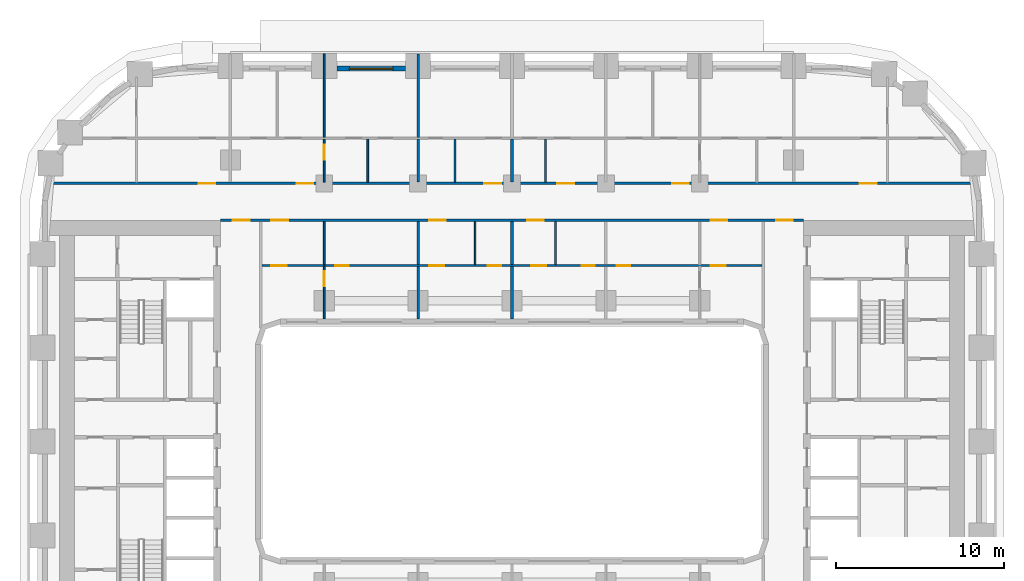
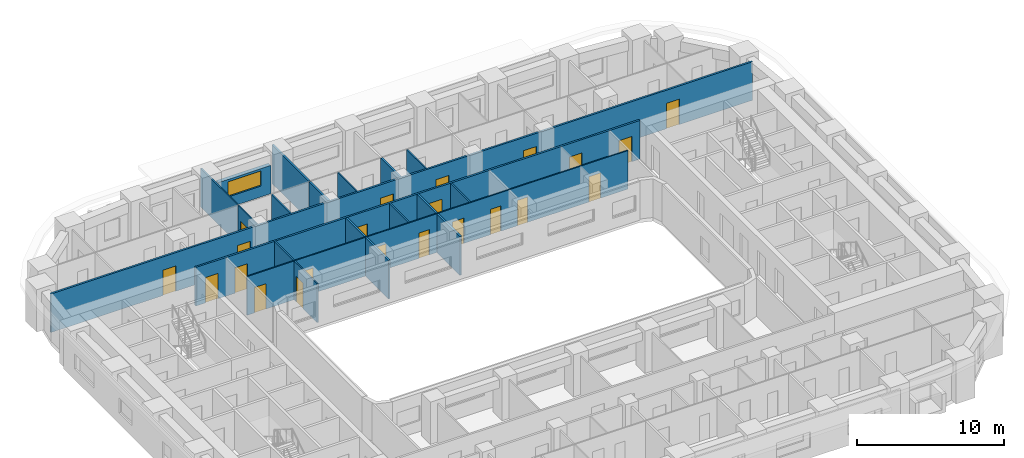
# One storey, part 8 of 22: 22 doors, 20 walls, 1 window, 23 openings.
"""IFC4 building model written with IfcOpenShell, lengths in metres."""

from ifc_helpers import new_model, si_unit, direction, frame, frame_2d, origin, place, context, subcontext, project, spatial, rectangle, extrude, material, layer, layer_set, type_object, element, fill, save


model = new_model("IFC4")

# Units and contexts
model_context = context("Model", 3, precision=1e-05, world=origin(), true_north=direction((0.0, 1.0)))
body_context = subcontext(model_context, "Body", "Model", "MODEL_VIEW")
ifc_project = project(units=[si_unit("LENGTHUNIT", "METRE"), si_unit("AREAUNIT", "SQUARE_METRE"), si_unit("VOLUMEUNIT", "CUBIC_METRE"), si_unit("PLANEANGLEUNIT", "RADIAN"), si_unit("MASSUNIT", "GRAM", prefix="KILO")], contexts=[model_context])

# Site, building, storey
site_placement = place(None, origin())
site = spatial("IfcSite", under=ifc_project, at=site_placement, CompositionType="ELEMENT")
building_placement = place(site_placement, origin())
building = spatial("IfcBuilding", under=site, at=building_placement, Name="Kiln Ring Residences", CompositionType="ELEMENT")
storey_placement = place(building_placement, frame((0.0, 0.0, 44.5)))
storey = spatial("IfcBuildingStorey", under=building, at=storey_placement, Name="L10", CompositionType="ELEMENT", Elevation=44.5)

# Wall, opening, window
ifc_material_1 = material(Name="Brick masonry, dark clay brick", Category="masonry")
ifc_layer_1 = layer(ifc_material_1, 0.300048828125)
ifc_layer_set_1 = layer_set([ifc_layer_1], Name="EW-300 BRICK WALL")
wall_type_1 = type_object("IfcWallType", Name="EW-300 BRICK WALL", PredefinedType="SOLIDWALL", material=ifc_layer_set_1)
wall_1_placement = place(storey_placement, frame((-6.35009765625, 22.25, 0.0), z_axis=(0.0, 0.0, 1.0), x_axis=(-1.0, 0.0, 0.0)))
wall_1 = element("IfcWall", 1, at=wall_1_placement, inside=storey, type_object=wall_type_1, Name="Facade wall L10 33", PredefinedType="SOLIDWALL", context=body_context, shape_type="SweptSolid", body=[
    extrude(rectangle(XDim=4.099853515625, YDim=0.300048828125, at=frame_2d((2.0498046875, 0.0))), origin(), (0.0, 0.0, 1.0), 2.35009765625),
])
opening_1_placement = place(wall_1_placement, frame((0.75, 0.0, 0.89990234375)))
opening_1 = element("IfcOpeningElement", 2, at=opening_1_placement, cuts=wall_1, Name="Opening W3", PredefinedType="OPENING", context=body_context, shape_type="SweptSolid", body=[
    extrude(rectangle(XDim=2.60009765625, YDim=1.25, at=frame_2d((1.300048828125, 0.625))), frame((0.0, 0.159912109375, 0.0), z_axis=(0.0, -1.0, 0.0), x_axis=(1.0, 0.0, 0.0)), (0.0, 0.0, 1.0), 0.320068359375),
])
ifc_material_2 = material(Name="Aluminium frame with double glazing", Category="aluminium")
window_type = type_object("IfcWindowType", Name="WINDOW 2600 x 1250", PartitioningType="SINGLE_PANEL", PredefinedType="WINDOW", material=ifc_material_2)
window_placement = place(opening_1_placement, origin())
window = element("IfcWindow", 3, at=window_placement, inside=storey, type_object=window_type, Name="Window L10 19", OverallHeight=1.25, OverallWidth=2.60009765625, PartitioningType="SINGLE_PANEL", PredefinedType="WINDOW", context=body_context, shape_type="SweptSolid", body=[
    extrude(rectangle(XDim=2.60009765625, YDim=1.25, at=frame_2d((1.300048828125, 0.625))), frame((0.0, 0.030029296875, 0.0), z_axis=(0.0, -1.0, 0.0), x_axis=(1.0, 0.0, 0.0)), (0.0, 0.0, 1.0), 0.06005859375),
])
fill(opening_1, window)

# Wall, openings, doors
ifc_material_3 = material(Name="Gypsum board on steel studs", Category="steel")
ifc_layer_2 = layer(ifc_material_3, 0.10009765625)
ifc_layer_set_2 = layer_set([ifc_layer_2], Name="PARTITION-100")
wall_type_2 = type_object("IfcWallType", Name="PARTITION-100", PredefinedType="PARTITIONING", material=ifc_layer_set_2)
wall_2_placement = place(storey_placement, frame((-14.925048828125, 10.5, 0.0), z_axis=(0.0, 0.0, 1.0), x_axis=(1.0, 0.0, 0.0)))
wall_2 = element("IfcWall", 4, at=wall_2_placement, inside=storey, type_object=wall_type_2, Name="Partition 003", PredefinedType="PARTITIONING", context=body_context, shape_type="SweptSolid", body=[
    extrude(rectangle(XDim=29.85009765625, YDim=0.10009765625, at=frame_2d((14.925048828125, 0.0))), origin(), (0.0, 0.0, 1.0), 3.199951171875),
])
opening_2_placement = place(wall_2_placement, frame((4.375, 0.0, 0.0)))
opening_2 = element("IfcOpeningElement", 5, at=opening_2_placement, cuts=wall_2, Name="Opening L10-D006", PredefinedType="OPENING", context=body_context, shape_type="SweptSolid", body=[
    extrude(rectangle(XDim=0.800048828125, YDim=2.10009765625, at=frame_2d((0.39990234375, 1.050048828125))), frame((0.0, 0.06005859375, 0.0), z_axis=(0.0, -1.0, 0.0), x_axis=(1.0, 0.0, 0.0)), (0.0, 0.0, 1.0), 0.1201171875),
])
opening_3_placement = place(wall_2_placement, frame((0.574951171875, 0.0, 0.0)))
opening_3 = element("IfcOpeningElement", 6, at=opening_3_placement, cuts=wall_2, Name="Opening L10-D007", PredefinedType="OPENING", context=body_context, shape_type="SweptSolid", body=[
    extrude(rectangle(XDim=0.89990234375, YDim=2.10009765625, at=frame_2d((0.449951171875, 1.050048828125))), frame((0.0, 0.06005859375, 0.0), z_axis=(0.0, -1.0, 0.0), x_axis=(1.0, 0.0, 0.0)), (0.0, 0.0, 1.0), 0.1201171875),
])
opening_4_placement = place(wall_2_placement, frame((13.47509765625, 0.0, 0.0)))
opening_4 = element("IfcOpeningElement", 7, at=opening_4_placement, cuts=wall_2, Name="Opening L10-D010", PredefinedType="OPENING", context=body_context, shape_type="SweptSolid", body=[
    extrude(rectangle(XDim=0.800048828125, YDim=2.10009765625, at=frame_2d((0.39990234375, 1.050048828125))), frame((0.0, 0.06005859375, 0.0), z_axis=(0.0, -1.0, 0.0), x_axis=(1.0, 0.0, 0.0)), (0.0, 0.0, 1.0), 0.1201171875),
])
opening_5_placement = place(wall_2_placement, frame((9.97509765625, 0.0, 0.0)))
opening_5 = element("IfcOpeningElement", 8, at=opening_5_placement, cuts=wall_2, Name="Opening L10-D011", PredefinedType="OPENING", context=body_context, shape_type="SweptSolid", body=[
    extrude(rectangle(XDim=0.89990234375, YDim=2.10009765625, at=frame_2d((0.449951171875, 1.050048828125))), frame((0.0, 0.06005859375, 0.0), z_axis=(0.0, -1.0, 0.0), x_axis=(1.0, 0.0, 0.0)), (0.0, 0.0, 1.0), 0.1201171875),
])
opening_6_placement = place(wall_2_placement, frame((19.074951171875, 0.0, 0.0)))
opening_6 = element("IfcOpeningElement", 9, at=opening_6_placement, cuts=wall_2, Name="Opening L10-D013", PredefinedType="OPENING", context=body_context, shape_type="SweptSolid", body=[
    extrude(rectangle(XDim=0.800048828125, YDim=2.10009765625, at=frame_2d((0.39990234375, 1.050048828125))), frame((0.0, 0.06005859375, 0.0), z_axis=(0.0, -1.0, 0.0), x_axis=(1.0, 0.0, 0.0)), (0.0, 0.0, 1.0), 0.1201171875),
])
opening_7_placement = place(wall_2_placement, frame((16.074951171875, 0.0, 0.0)))
opening_7 = element("IfcOpeningElement", 10, at=opening_7_placement, cuts=wall_2, Name="Opening L10-D014", PredefinedType="OPENING", context=body_context, shape_type="SweptSolid", body=[
    extrude(rectangle(XDim=0.89990234375, YDim=2.10009765625, at=frame_2d((0.449951171875, 1.050048828125))), frame((0.0, 0.06005859375, 0.0), z_axis=(0.0, -1.0, 0.0), x_axis=(1.0, 0.0, 0.0)), (0.0, 0.0, 1.0), 0.1201171875),
])
opening_8_placement = place(wall_2_placement, frame((21.175048828125, 0.0, 0.0)))
opening_8 = element("IfcOpeningElement", 11, at=opening_8_placement, cuts=wall_2, Name="Opening L10-D016", PredefinedType="OPENING", context=body_context, shape_type="SweptSolid", body=[
    extrude(rectangle(XDim=0.800048828125, YDim=2.10009765625, at=frame_2d((0.39990234375, 1.050048828125))), frame((0.0, 0.06005859375, 0.0), z_axis=(0.0, -1.0, 0.0), x_axis=(1.0, 0.0, 0.0)), (0.0, 0.0, 1.0), 0.1201171875),
])
opening_9_placement = place(wall_2_placement, frame((26.77490234375, 0.0, 0.0)))
opening_9 = element("IfcOpeningElement", 12, at=opening_9_placement, cuts=wall_2, Name="Opening L10-D017", PredefinedType="OPENING", context=body_context, shape_type="SweptSolid", body=[
    extrude(rectangle(XDim=0.89990234375, YDim=2.10009765625, at=frame_2d((0.449951171875, 1.050048828125))), frame((0.0, 0.06005859375, 0.0), z_axis=(0.0, -1.0, 0.0), x_axis=(1.0, 0.0, 0.0)), (0.0, 0.0, 1.0), 0.1201171875),
])
ifc_material_4 = material(Name="Timber door leaf", Category="wood")
door_type_1 = type_object("IfcDoorType", Name="FLAT-DOOR-800-PL", OperationType="SINGLE_SWING_LEFT", PredefinedType="DOOR", material=ifc_material_4)
door_1_placement = place(opening_2_placement, origin())
door_1 = element("IfcDoor", 13, at=door_1_placement, inside=storey, type_object=door_type_1, Name="Door L10-D006", OperationType="SINGLE_SWING_RIGHT", OverallHeight=2.10009765625, OverallWidth=0.800048828125, PredefinedType="DOOR", context=body_context, shape_type="SweptSolid", body=[
    extrude(rectangle(XDim=0.800048828125, YDim=2.10009765625, at=frame_2d((0.39990234375, 1.050048828125))), frame((0.0, 0.02490234375, 0.0), z_axis=(0.0, -1.0, 0.0), x_axis=(1.0, 0.0, 0.0)), (0.0, 0.0, 1.0), 0.050048828125),
])
fill(opening_2, door_1)
door_2_placement = place(opening_4_placement, origin())
door_2 = element("IfcDoor", 14, at=door_2_placement, inside=storey, type_object=door_type_1, Name="Door L10-D010", OperationType="SINGLE_SWING_RIGHT", OverallHeight=2.10009765625, OverallWidth=0.800048828125, PredefinedType="DOOR", context=body_context, shape_type="SweptSolid", body=[
    extrude(rectangle(XDim=0.800048828125, YDim=2.10009765625, at=frame_2d((0.39990234375, 1.050048828125))), frame((0.0, 0.02490234375, 0.0), z_axis=(0.0, -1.0, 0.0), x_axis=(1.0, 0.0, 0.0)), (0.0, 0.0, 1.0), 0.050048828125),
])
fill(opening_4, door_2)
door_3_placement = place(opening_6_placement, origin())
door_3 = element("IfcDoor", 15, at=door_3_placement, inside=storey, type_object=door_type_1, Name="Door L10-D013", OperationType="SINGLE_SWING_LEFT", OverallHeight=2.10009765625, OverallWidth=0.800048828125, PredefinedType="DOOR", context=body_context, shape_type="SweptSolid", body=[
    extrude(rectangle(XDim=0.800048828125, YDim=2.10009765625, at=frame_2d((0.39990234375, 1.050048828125))), frame((0.0, 0.02490234375, 0.0), z_axis=(0.0, -1.0, 0.0), x_axis=(1.0, 0.0, 0.0)), (0.0, 0.0, 1.0), 0.050048828125),
])
fill(opening_6, door_3)
door_4_placement = place(opening_8_placement, origin())
door_4 = element("IfcDoor", 16, at=door_4_placement, inside=storey, type_object=door_type_1, Name="Door L10-D016", OperationType="SINGLE_SWING_RIGHT", OverallHeight=2.10009765625, OverallWidth=0.800048828125, PredefinedType="DOOR", context=body_context, shape_type="SweptSolid", body=[
    extrude(rectangle(XDim=0.800048828125, YDim=2.10009765625, at=frame_2d((0.39990234375, 1.050048828125))), frame((0.0, 0.02490234375, 0.0), z_axis=(0.0, -1.0, 0.0), x_axis=(1.0, 0.0, 0.0)), (0.0, 0.0, 1.0), 0.050048828125),
])
fill(opening_8, door_4)
ifc_material_5 = material(Name="Timber door leaf", Category="wood")
door_type_2 = type_object("IfcDoorType", Name="FLAT-DOOR-900-PL", OperationType="SINGLE_SWING_LEFT", PredefinedType="DOOR", material=ifc_material_5)
door_5_placement = place(opening_3_placement, origin())
door_5 = element("IfcDoor", 17, at=door_5_placement, inside=storey, type_object=door_type_2, Name="Door L10-D007", OperationType="SINGLE_SWING_LEFT", OverallHeight=2.10009765625, OverallWidth=0.89990234375, PredefinedType="DOOR", context=body_context, shape_type="SweptSolid", body=[
    extrude(rectangle(XDim=0.89990234375, YDim=2.10009765625, at=frame_2d((0.449951171875, 1.050048828125))), frame((0.0, 0.02490234375, 0.0), z_axis=(0.0, -1.0, 0.0), x_axis=(1.0, 0.0, 0.0)), (0.0, 0.0, 1.0), 0.050048828125),
])
fill(opening_3, door_5)
door_6_placement = place(opening_5_placement, origin())
door_6 = element("IfcDoor", 18, at=door_6_placement, inside=storey, type_object=door_type_2, Name="Door L10-D011", OperationType="SINGLE_SWING_LEFT", OverallHeight=2.10009765625, OverallWidth=0.89990234375, PredefinedType="DOOR", context=body_context, shape_type="SweptSolid", body=[
    extrude(rectangle(XDim=0.89990234375, YDim=2.10009765625, at=frame_2d((0.449951171875, 1.050048828125))), frame((0.0, 0.02490234375, 0.0), z_axis=(0.0, -1.0, 0.0), x_axis=(1.0, 0.0, 0.0)), (0.0, 0.0, 1.0), 0.050048828125),
])
fill(opening_5, door_6)
door_7_placement = place(opening_7_placement, origin())
door_7 = element("IfcDoor", 19, at=door_7_placement, inside=storey, type_object=door_type_2, Name="Door L10-D014", OperationType="SINGLE_SWING_RIGHT", OverallHeight=2.10009765625, OverallWidth=0.89990234375, PredefinedType="DOOR", context=body_context, shape_type="SweptSolid", body=[
    extrude(rectangle(XDim=0.89990234375, YDim=2.10009765625, at=frame_2d((0.449951171875, 1.050048828125))), frame((0.0, 0.02490234375, 0.0), z_axis=(0.0, -1.0, 0.0), x_axis=(1.0, 0.0, 0.0)), (0.0, 0.0, 1.0), 0.050048828125),
])
fill(opening_7, door_7)
door_8_placement = place(opening_9_placement, origin())
door_8 = element("IfcDoor", 20, at=door_8_placement, inside=storey, type_object=door_type_2, Name="Door L10-D017", OperationType="SINGLE_SWING_LEFT", OverallHeight=2.10009765625, OverallWidth=0.89990234375, PredefinedType="DOOR", context=body_context, shape_type="SweptSolid", body=[
    extrude(rectangle(XDim=0.89990234375, YDim=2.10009765625, at=frame_2d((0.449951171875, 1.050048828125))), frame((0.0, 0.02490234375, 0.0), z_axis=(0.0, -1.0, 0.0), x_axis=(1.0, 0.0, 0.0)), (0.0, 0.0, 1.0), 0.050048828125),
])
fill(opening_9, door_8)

# Wall, opening, door
wall_3_placement = place(storey_placement, frame((-11.199951171875, 7.320068359375, 0.0), z_axis=(0.0, 0.0, 1.0), x_axis=(0.0, 1.0, 0.0)))
wall_3 = element("IfcWall", 21, at=wall_3_placement, inside=storey, type_object=wall_type_2, Name="Partition 020", PredefinedType="PARTITIONING", context=body_context, shape_type="SweptSolid", body=[
    extrude(rectangle(XDim=3.1298828125, YDim=0.10009765625, at=frame_2d((1.56494140625, 0.0))), origin(), (0.0, 0.0, 1.0), 3.199951171875),
])
opening_10_placement = place(wall_3_placement, frame((1.949951171875, 0.0, 0.0)))
opening_10 = element("IfcOpeningElement", 22, at=opening_10_placement, cuts=wall_3, Name="Opening L10-D008", PredefinedType="OPENING", context=body_context, shape_type="SweptSolid", body=[
    extrude(rectangle(XDim=0.89990234375, YDim=2.10009765625, at=frame_2d((0.449951171875, 1.050048828125))), frame((0.0, 0.06005859375, 0.0), z_axis=(0.0, -1.0, 0.0), x_axis=(1.0, 0.0, 0.0)), (0.0, 0.0, 1.0), 0.1201171875),
])
door_9_placement = place(opening_10_placement, origin())
door_9 = element("IfcDoor", 23, at=door_9_placement, inside=storey, type_object=door_type_2, Name="Door L10-D008", OperationType="SINGLE_SWING_RIGHT", OverallHeight=2.10009765625, OverallWidth=0.89990234375, PredefinedType="DOOR", context=body_context, shape_type="SweptSolid", body=[
    extrude(rectangle(XDim=0.89990234375, YDim=2.10009765625, at=frame_2d((0.449951171875, 1.050048828125))), frame((0.0, 0.02490234375, 0.0), z_axis=(0.0, -1.0, 0.0), x_axis=(1.0, 0.0, 0.0)), (0.0, 0.0, 1.0), 0.050048828125),
])
fill(opening_10, door_9)

# Wall
wall_4_placement = place(storey_placement, frame((-11.199951171875, 10.550048828125, 0.0), z_axis=(0.0, 0.0, 1.0), x_axis=(0.0, 1.0, 0.0)))
element("IfcWall", 24, at=wall_4_placement, inside=storey, type_object=wall_type_2, Name="Partition 021", PredefinedType="PARTITIONING", context=body_context, shape_type="SweptSolid", body=[
    extrude(rectangle(XDim=2.574951171875, YDim=0.10009765625, at=frame_2d((1.28759765625, 0.0))), origin(), (0.0, 0.0, 1.0), 3.199951171875),
])

# Wall, opening, door
wall_5_placement = place(storey_placement, frame((-11.199951171875, 15.47509765625, 0.0), z_axis=(0.0, 0.0, 1.0), x_axis=(0.0, 1.0, 0.0)))
wall_5 = element("IfcWall", 25, at=wall_5_placement, inside=storey, type_object=wall_type_2, Name="Partition 022", PredefinedType="PARTITIONING", context=body_context, shape_type="SweptSolid", body=[
    extrude(rectangle(XDim=2.574951171875, YDim=0.10009765625, at=frame_2d((1.28759765625, 0.0))), origin(), (0.0, 0.0, 1.0), 3.199951171875),
])
opening_11_placement = place(wall_5_placement, frame((1.325927734375, 0.0, 0.0)))
opening_11 = element("IfcOpeningElement", 26, at=opening_11_placement, cuts=wall_5, Name="Opening L10-D024", PredefinedType="OPENING", context=body_context, shape_type="SweptSolid", body=[
    extrude(rectangle(XDim=0.89990234375, YDim=2.10009765625, at=frame_2d((0.449951171875, 1.050048828125))), frame((0.0, 0.06005859375, 0.0), z_axis=(0.0, -1.0, 0.0), x_axis=(1.0, 0.0, 0.0)), (0.0, 0.0, 1.0), 0.1201171875),
])
door_10_placement = place(opening_11_placement, origin())
door_10 = element("IfcDoor", 27, at=door_10_placement, inside=storey, type_object=door_type_2, Name="Door L10-D024", OperationType="SINGLE_SWING_RIGHT", OverallHeight=2.10009765625, OverallWidth=0.89990234375, PredefinedType="DOOR", context=body_context, shape_type="SweptSolid", body=[
    extrude(rectangle(XDim=0.89990234375, YDim=2.10009765625, at=frame_2d((0.449951171875, 1.050048828125))), frame((0.0, 0.02490234375, 0.0), z_axis=(0.0, -1.0, 0.0), x_axis=(1.0, 0.0, 0.0)), (0.0, 0.0, 1.0), 0.050048828125),
])
fill(opening_11, door_10)

# Walls
wall_6_placement = place(storey_placement, frame((-11.199951171875, 18.14990234375, 0.0), z_axis=(0.0, 0.0, 1.0), x_axis=(0.0, 1.0, 0.0)))
element("IfcWall", 28, at=wall_6_placement, inside=storey, type_object=wall_type_2, Name="Partition 023", PredefinedType="PARTITIONING", context=body_context, shape_type="SweptSolid", body=[
    extrude(rectangle(XDim=4.97998046875, YDim=0.10009765625, at=frame_2d((2.489990234375, 0.0))), origin(), (0.0, 0.0, 1.0), 3.199951171875),
])
for number, where, z_axis, x_axis, name in (
    (29, (-8.60009765625, 15.47509765625, 0.0), (0.0, 0.0, 1.0), (0.0, 1.0, 0.0), "Partition 026"),
    (30, (-3.39990234375, 15.47509765625, 0.0), (0.0, 0.0, 1.0), (0.0, 1.0, 0.0), "Partition 035"),
    (31, (-2.199951171875, 10.550048828125, 0.0), (0.0, 0.0, 1.0), (0.0, 1.0, 0.0), "Partition 037"),
    (32, (2.0, 15.47509765625, 0.0), (0.0, 0.0, 1.0), (0.0, 1.0, 0.0), "Partition 045"),
    (33, (2.60009765625, 10.550048828125, 0.0), (0.0, 0.0, 1.0), (0.0, 1.0, 0.0), "Partition 046"),
):
    element("IfcWall", number, at=place(storey_placement, frame(where, z_axis=z_axis, x_axis=x_axis)), inside=storey, type_object=wall_type_2, Name=name, PredefinedType="PARTITIONING", context=body_context, shape_type="SweptSolid", body=[
        extrude(rectangle(XDim=2.574951171875, YDim=0.10009765625, at=frame_2d((1.28759765625, 0.0))), origin(), (0.0, 0.0, 1.0), 3.199951171875),
    ])

# Wall, openings, doors
ifc_material_6 = material(Name="Brick masonry partition", Category="masonry")
ifc_layer_3 = layer(ifc_material_6, 0.14990234375)
ifc_layer_set_3 = layer_set([ifc_layer_3], Name="PARTITION-150-ei60")
wall_type_3 = type_object("IfcWallType", Name="PARTITION-150-ei60", PredefinedType="PARTITIONING", material=ifc_layer_set_3)
wall_7_placement = place(storey_placement, frame((-17.39990234375, 13.199951171875, 0.0), z_axis=(0.0, 0.0, 1.0), x_axis=(1.0, 0.0, 0.0)))
wall_7 = element("IfcWall", 34, at=wall_7_placement, inside=storey, type_object=wall_type_3, Name="Partition 004", PredefinedType="PARTITIONING", context=body_context, shape_type="SweptSolid", body=[
    extrude(rectangle(XDim=34.7998046875, YDim=0.14990234375, at=frame_2d((17.39990234375, 0.0))), origin(), (0.0, 0.0, 1.0), 3.199951171875),
])
opening_12_placement = place(wall_7_placement, frame((0.75, 0.0, 0.0)))
opening_12 = element("IfcOpeningElement", 35, at=opening_12_placement, cuts=wall_7, Name="Opening L10-D001", PredefinedType="OPENING", context=body_context, shape_type="SweptSolid", body=[
    extrude(rectangle(XDim=1.0, YDim=2.10009765625, at=frame_2d((0.5, 1.050048828125))), frame((0.0, 0.0849609375, 0.0), z_axis=(0.0, -1.0, 0.0), x_axis=(1.0, 0.0, 0.0)), (0.0, 0.0, 1.0), 0.169921875),
])
opening_13_placement = place(wall_7_placement, frame((33.14990234375, 0.0, 0.0)))
opening_13 = element("IfcOpeningElement", 36, at=opening_13_placement, cuts=wall_7, Name="Opening L10-D002", PredefinedType="OPENING", context=body_context, shape_type="SweptSolid", body=[
    extrude(rectangle(XDim=1.0, YDim=2.10009765625, at=frame_2d((0.5, 1.050048828125))), frame((0.0, 0.0849609375, 0.0), z_axis=(0.0, -1.0, 0.0), x_axis=(1.0, 0.0, 0.0)), (0.0, 0.0, 1.0), 0.169921875),
])
opening_14_placement = place(wall_7_placement, frame((3.050048828125, 0.0, 0.0)))
opening_14 = element("IfcOpeningElement", 37, at=opening_14_placement, cuts=wall_7, Name="Opening L10-D005", PredefinedType="OPENING", context=body_context, shape_type="SweptSolid", body=[
    extrude(rectangle(XDim=1.0, YDim=2.10009765625, at=frame_2d((0.5, 1.050048828125))), frame((0.0, 0.0849609375, 0.0), z_axis=(0.0, -1.0, 0.0), x_axis=(1.0, 0.0, 0.0)), (0.0, 0.0, 1.0), 0.169921875),
])
opening_15_placement = place(wall_7_placement, frame((12.449951171875, 0.0, 0.0)))
opening_15 = element("IfcOpeningElement", 38, at=opening_15_placement, cuts=wall_7, Name="Opening L10-D009", PredefinedType="OPENING", context=body_context, shape_type="SweptSolid", body=[
    extrude(rectangle(XDim=1.0, YDim=2.10009765625, at=frame_2d((0.5, 1.050048828125))), frame((0.0, 0.0849609375, 0.0), z_axis=(0.0, -1.0, 0.0), x_axis=(1.0, 0.0, 0.0)), (0.0, 0.0, 1.0), 0.169921875),
])
opening_16_placement = place(wall_7_placement, frame((18.300048828125, 0.0, 0.0)))
opening_16 = element("IfcOpeningElement", 39, at=opening_16_placement, cuts=wall_7, Name="Opening L10-D012", PredefinedType="OPENING", context=body_context, shape_type="SweptSolid", body=[
    extrude(rectangle(XDim=1.0, YDim=2.10009765625, at=frame_2d((0.5, 1.050048828125))), frame((0.0, 0.0849609375, 0.0), z_axis=(0.0, -1.0, 0.0), x_axis=(1.0, 0.0, 0.0)), (0.0, 0.0, 1.0), 0.169921875),
])
opening_17_placement = place(wall_7_placement, frame((29.25, 0.0, 0.0)))
opening_17 = element("IfcOpeningElement", 40, at=opening_17_placement, cuts=wall_7, Name="Opening L10-D015", PredefinedType="OPENING", context=body_context, shape_type="SweptSolid", body=[
    extrude(rectangle(XDim=1.0, YDim=2.10009765625, at=frame_2d((0.5, 1.050048828125))), frame((0.0, 0.0849609375, 0.0), z_axis=(0.0, -1.0, 0.0), x_axis=(1.0, 0.0, 0.0)), (0.0, 0.0, 1.0), 0.169921875),
])
ifc_material_7 = material(Name="Steel faced fire door leaf", Category="steel")
door_type_3 = type_object("IfcDoorType", Name="FLAT-DOOR-1000-FR", OperationType="SINGLE_SWING_LEFT", PredefinedType="DOOR", material=ifc_material_7)
door_11_placement = place(opening_12_placement, origin())
door_11 = element("IfcDoor", 41, at=door_11_placement, inside=storey, type_object=door_type_3, Name="Door L10-D001", OperationType="SINGLE_SWING_RIGHT", OverallHeight=2.10009765625, OverallWidth=1.0, PredefinedType="DOOR", context=body_context, shape_type="SweptSolid", body=[
    extrude(rectangle(XDim=1.0, YDim=2.10009765625, at=frame_2d((0.5, 1.050048828125))), frame((0.0, 0.02490234375, 0.0), z_axis=(0.0, -1.0, 0.0), x_axis=(1.0, 0.0, 0.0)), (0.0, 0.0, 1.0), 0.050048828125),
])
fill(opening_12, door_11)
door_12_placement = place(opening_13_placement, origin())
door_12 = element("IfcDoor", 42, at=door_12_placement, inside=storey, type_object=door_type_3, Name="Door L10-D002", OperationType="SINGLE_SWING_LEFT", OverallHeight=2.10009765625, OverallWidth=1.0, PredefinedType="DOOR", context=body_context, shape_type="SweptSolid", body=[
    extrude(rectangle(XDim=1.0, YDim=2.10009765625, at=frame_2d((0.5, 1.050048828125))), frame((0.0, 0.02490234375, 0.0), z_axis=(0.0, -1.0, 0.0), x_axis=(1.0, 0.0, 0.0)), (0.0, 0.0, 1.0), 0.050048828125),
])
fill(opening_13, door_12)
door_13_placement = place(opening_14_placement, origin())
door_13 = element("IfcDoor", 43, at=door_13_placement, inside=storey, type_object=door_type_3, Name="Door L10-D005", OperationType="SINGLE_SWING_LEFT", OverallHeight=2.10009765625, OverallWidth=1.0, PredefinedType="DOOR", context=body_context, shape_type="SweptSolid", body=[
    extrude(rectangle(XDim=1.0, YDim=2.10009765625, at=frame_2d((0.5, 1.050048828125))), frame((0.0, 0.02490234375, 0.0), z_axis=(0.0, -1.0, 0.0), x_axis=(1.0, 0.0, 0.0)), (0.0, 0.0, 1.0), 0.050048828125),
])
fill(opening_14, door_13)
door_14_placement = place(opening_15_placement, origin())
door_14 = element("IfcDoor", 44, at=door_14_placement, inside=storey, type_object=door_type_3, Name="Door L10-D009", OperationType="SINGLE_SWING_LEFT", OverallHeight=2.10009765625, OverallWidth=1.0, PredefinedType="DOOR", context=body_context, shape_type="SweptSolid", body=[
    extrude(rectangle(XDim=1.0, YDim=2.10009765625, at=frame_2d((0.5, 1.050048828125))), frame((0.0, 0.02490234375, 0.0), z_axis=(0.0, -1.0, 0.0), x_axis=(1.0, 0.0, 0.0)), (0.0, 0.0, 1.0), 0.050048828125),
])
fill(opening_15, door_14)
door_15_placement = place(opening_16_placement, origin())
door_15 = element("IfcDoor", 45, at=door_15_placement, inside=storey, type_object=door_type_3, Name="Door L10-D012", OperationType="SINGLE_SWING_RIGHT", OverallHeight=2.10009765625, OverallWidth=1.0, PredefinedType="DOOR", context=body_context, shape_type="SweptSolid", body=[
    extrude(rectangle(XDim=1.0, YDim=2.10009765625, at=frame_2d((0.5, 1.050048828125))), frame((0.0, 0.02490234375, 0.0), z_axis=(0.0, -1.0, 0.0), x_axis=(1.0, 0.0, 0.0)), (0.0, 0.0, 1.0), 0.050048828125),
])
fill(opening_16, door_15)
door_16_placement = place(opening_17_placement, origin())
door_16 = element("IfcDoor", 46, at=door_16_placement, inside=storey, type_object=door_type_3, Name="Door L10-D015", OperationType="SINGLE_SWING_LEFT", OverallHeight=2.10009765625, OverallWidth=1.0, PredefinedType="DOOR", context=body_context, shape_type="SweptSolid", body=[
    extrude(rectangle(XDim=1.0, YDim=2.10009765625, at=frame_2d((0.5, 1.050048828125))), frame((0.0, 0.02490234375, 0.0), z_axis=(0.0, -1.0, 0.0), x_axis=(1.0, 0.0, 0.0)), (0.0, 0.0, 1.0), 0.050048828125),
])
fill(opening_17, door_16)

wall_8_placement = place(storey_placement, frame((-27.48388671875, 15.39990234375, 0.0), z_axis=(0.0, 0.0, 1.0), x_axis=(1.0, 0.0, 0.0)))
wall_8 = element("IfcWall", 47, at=wall_8_placement, inside=storey, type_object=wall_type_3, Name="Partition 005", PredefinedType="PARTITIONING", context=body_context, shape_type="SweptSolid", body=[
    extrude(rectangle(XDim=54.9677734375, YDim=0.14990234375, at=frame_2d((27.48388671875, 0.0))), origin(), (0.0, 0.0, 1.0), 3.199951171875),
])
opening_18_placement = place(wall_8_placement, frame((8.78369140625, 0.0, 0.0)))
opening_18 = element("IfcOpeningElement", 48, at=opening_18_placement, cuts=wall_8, Name="Opening L10-D019", PredefinedType="OPENING", context=body_context, shape_type="SweptSolid", body=[
    extrude(rectangle(XDim=1.0, YDim=2.10009765625, at=frame_2d((0.5, 1.050048828125))), frame((0.0, 0.0849609375, 0.0), z_axis=(0.0, -1.0, 0.0), x_axis=(1.0, 0.0, 0.0)), (0.0, 0.0, 1.0), 0.169921875),
])
opening_19_placement = place(wall_8_placement, frame((14.6337890625, 0.0, 0.0)))
opening_19 = element("IfcOpeningElement", 49, at=opening_19_placement, cuts=wall_8, Name="Opening L10-D023", PredefinedType="OPENING", context=body_context, shape_type="SweptSolid", body=[
    extrude(rectangle(XDim=1.0, YDim=2.10009765625, at=frame_2d((0.5, 1.050048828125))), frame((0.0, 0.0849609375, 0.0), z_axis=(0.0, -1.0, 0.0), x_axis=(1.0, 0.0, 0.0)), (0.0, 0.0, 1.0), 0.169921875),
])
opening_20_placement = place(wall_8_placement, frame((25.833740234375, 0.0, 0.0)))
opening_20 = element("IfcOpeningElement", 50, at=opening_20_placement, cuts=wall_8, Name="Opening L10-D029", PredefinedType="OPENING", context=body_context, shape_type="SweptSolid", body=[
    extrude(rectangle(XDim=1.0, YDim=2.10009765625, at=frame_2d((0.5, 1.050048828125))), frame((0.0, 0.0849609375, 0.0), z_axis=(0.0, -1.0, 0.0), x_axis=(1.0, 0.0, 0.0)), (0.0, 0.0, 1.0), 0.169921875),
])
opening_21_placement = place(wall_8_placement, frame((30.183837890625, 0.0, 0.0)))
opening_21 = element("IfcOpeningElement", 51, at=opening_21_placement, cuts=wall_8, Name="Opening L10-D032", PredefinedType="OPENING", context=body_context, shape_type="SweptSolid", body=[
    extrude(rectangle(XDim=1.0, YDim=2.10009765625, at=frame_2d((0.5, 1.050048828125))), frame((0.0, 0.0849609375, 0.0), z_axis=(0.0, -1.0, 0.0), x_axis=(1.0, 0.0, 0.0)), (0.0, 0.0, 1.0), 0.169921875),
])
opening_22_placement = place(wall_8_placement, frame((37.03369140625, 0.0, 0.0)))
opening_22 = element("IfcOpeningElement", 52, at=opening_22_placement, cuts=wall_8, Name="Opening L10-D035", PredefinedType="OPENING", context=body_context, shape_type="SweptSolid", body=[
    extrude(rectangle(XDim=1.0, YDim=2.10009765625, at=frame_2d((0.5, 1.050048828125))), frame((0.0, 0.0849609375, 0.0), z_axis=(0.0, -1.0, 0.0), x_axis=(1.0, 0.0, 0.0)), (0.0, 0.0, 1.0), 0.169921875),
])
opening_23_placement = place(wall_8_placement, frame((48.23388671875, 0.0, 0.0)))
opening_23 = element("IfcOpeningElement", 53, at=opening_23_placement, cuts=wall_8, Name="Opening L10-D041", PredefinedType="OPENING", context=body_context, shape_type="SweptSolid", body=[
    extrude(rectangle(XDim=1.0, YDim=2.10009765625, at=frame_2d((0.5, 1.050048828125))), frame((0.0, 0.0849609375, 0.0), z_axis=(0.0, -1.0, 0.0), x_axis=(1.0, 0.0, 0.0)), (0.0, 0.0, 1.0), 0.169921875),
])
door_17_placement = place(opening_18_placement, origin())
door_17 = element("IfcDoor", 54, at=door_17_placement, inside=storey, type_object=door_type_3, Name="Door L10-D019", OperationType="SINGLE_SWING_LEFT", OverallHeight=2.10009765625, OverallWidth=1.0, PredefinedType="DOOR", context=body_context, shape_type="SweptSolid", body=[
    extrude(rectangle(XDim=1.0, YDim=2.10009765625, at=frame_2d((0.5, 1.050048828125))), frame((0.0, 0.02490234375, 0.0), z_axis=(0.0, -1.0, 0.0), x_axis=(1.0, 0.0, 0.0)), (0.0, 0.0, 1.0), 0.050048828125),
])
fill(opening_18, door_17)
door_18_placement = place(opening_19_placement, origin())
door_18 = element("IfcDoor", 55, at=door_18_placement, inside=storey, type_object=door_type_3, Name="Door L10-D023", OperationType="SINGLE_SWING_LEFT", OverallHeight=2.10009765625, OverallWidth=1.0, PredefinedType="DOOR", context=body_context, shape_type="SweptSolid", body=[
    extrude(rectangle(XDim=1.0, YDim=2.10009765625, at=frame_2d((0.5, 1.050048828125))), frame((0.0, 0.02490234375, 0.0), z_axis=(0.0, -1.0, 0.0), x_axis=(1.0, 0.0, 0.0)), (0.0, 0.0, 1.0), 0.050048828125),
])
fill(opening_19, door_18)
door_19_placement = place(opening_20_placement, origin())
door_19 = element("IfcDoor", 56, at=door_19_placement, inside=storey, type_object=door_type_3, Name="Door L10-D029", OperationType="SINGLE_SWING_LEFT", OverallHeight=2.10009765625, OverallWidth=1.0, PredefinedType="DOOR", context=body_context, shape_type="SweptSolid", body=[
    extrude(rectangle(XDim=1.0, YDim=2.10009765625, at=frame_2d((0.5, 1.050048828125))), frame((0.0, 0.02490234375, 0.0), z_axis=(0.0, -1.0, 0.0), x_axis=(1.0, 0.0, 0.0)), (0.0, 0.0, 1.0), 0.050048828125),
])
fill(opening_20, door_19)
door_20_placement = place(opening_21_placement, origin())
door_20 = element("IfcDoor", 57, at=door_20_placement, inside=storey, type_object=door_type_3, Name="Door L10-D032", OperationType="SINGLE_SWING_RIGHT", OverallHeight=2.10009765625, OverallWidth=1.0, PredefinedType="DOOR", context=body_context, shape_type="SweptSolid", body=[
    extrude(rectangle(XDim=1.0, YDim=2.10009765625, at=frame_2d((0.5, 1.050048828125))), frame((0.0, 0.02490234375, 0.0), z_axis=(0.0, -1.0, 0.0), x_axis=(1.0, 0.0, 0.0)), (0.0, 0.0, 1.0), 0.050048828125),
])
fill(opening_21, door_20)
door_21_placement = place(opening_22_placement, origin())
door_21 = element("IfcDoor", 58, at=door_21_placement, inside=storey, type_object=door_type_3, Name="Door L10-D035", OperationType="SINGLE_SWING_LEFT", OverallHeight=2.10009765625, OverallWidth=1.0, PredefinedType="DOOR", context=body_context, shape_type="SweptSolid", body=[
    extrude(rectangle(XDim=1.0, YDim=2.10009765625, at=frame_2d((0.5, 1.050048828125))), frame((0.0, 0.02490234375, 0.0), z_axis=(0.0, -1.0, 0.0), x_axis=(1.0, 0.0, 0.0)), (0.0, 0.0, 1.0), 0.050048828125),
])
fill(opening_22, door_21)
door_22_placement = place(opening_23_placement, origin())
door_22 = element("IfcDoor", 59, at=door_22_placement, inside=storey, type_object=door_type_3, Name="Door L10-D041", OperationType="SINGLE_SWING_LEFT", OverallHeight=2.10009765625, OverallWidth=1.0, PredefinedType="DOOR", context=body_context, shape_type="SweptSolid", body=[
    extrude(rectangle(XDim=1.0, YDim=2.10009765625, at=frame_2d((0.5, 1.050048828125))), frame((0.0, 0.02490234375, 0.0), z_axis=(0.0, -1.0, 0.0), x_axis=(1.0, 0.0, 0.0)), (0.0, 0.0, 1.0), 0.050048828125),
])
fill(opening_23, door_22)

# Walls
wall_9_placement = place(storey_placement, frame((-5.60009765625, 7.320068359375, 0.0), z_axis=(0.0, 0.0, 1.0), x_axis=(0.0, 1.0, 0.0)))
element("IfcWall", 60, at=wall_9_placement, inside=storey, type_object=wall_type_3, Name="Partition 031", PredefinedType="PARTITIONING", context=body_context, shape_type="SweptSolid", body=[
    extrude(rectangle(XDim=3.1298828125, YDim=0.14990234375, at=frame_2d((1.56494140625, 0.0))), origin(), (0.0, 0.0, 1.0), 3.199951171875),
])
for number, where, z_axis, x_axis, name in (
    (61, (-5.60009765625, 10.550048828125, 0.0), (0.0, 0.0, 1.0), (0.0, 1.0, 0.0), "Partition 032"),
    (62, (-5.60009765625, 15.47509765625, 0.0), (0.0, 0.0, 1.0), (0.0, 1.0, 0.0), "Partition 033"),
):
    element("IfcWall", number, at=place(storey_placement, frame(where, z_axis=z_axis, x_axis=x_axis)), inside=storey, type_object=wall_type_3, Name=name, PredefinedType="PARTITIONING", context=body_context, shape_type="SweptSolid", body=[
        extrude(rectangle(XDim=2.574951171875, YDim=0.14990234375, at=frame_2d((1.28759765625, 0.0))), origin(), (0.0, 0.0, 1.0), 3.199951171875),
    ])
wall_10_placement = place(storey_placement, frame((-5.60009765625, 18.14990234375, 0.0), z_axis=(0.0, 0.0, 1.0), x_axis=(0.0, 1.0, 0.0)))
element("IfcWall", 63, at=wall_10_placement, inside=storey, type_object=wall_type_3, Name="Partition 034", PredefinedType="PARTITIONING", context=body_context, shape_type="SweptSolid", body=[
    extrude(rectangle(XDim=4.97998046875, YDim=0.14990234375, at=frame_2d((2.489990234375, 0.0))), origin(), (0.0, 0.0, 1.0), 3.199951171875),
])
wall_11_placement = place(storey_placement, frame((0.0, 7.320068359375, 0.0), z_axis=(0.0, 0.0, 1.0), x_axis=(0.0, 1.0, 0.0)))
element("IfcWall", 64, at=wall_11_placement, inside=storey, type_object=wall_type_3, Name="Partition 041", PredefinedType="PARTITIONING", context=body_context, shape_type="SweptSolid", body=[
    extrude(rectangle(XDim=3.1298828125, YDim=0.14990234375, at=frame_2d((1.56494140625, 0.0))), origin(), (0.0, 0.0, 1.0), 3.199951171875),
])
for number, where, z_axis, x_axis, name in (
    (65, (0.0, 10.550048828125, 0.0), (0.0, 0.0, 1.0), (0.0, 1.0, 0.0), "Partition 042"),
    (66, (0.0, 15.47509765625, 0.0), (0.0, 0.0, 1.0), (0.0, 1.0, 0.0), "Partition 043"),
):
    element("IfcWall", number, at=place(storey_placement, frame(where, z_axis=z_axis, x_axis=x_axis)), inside=storey, type_object=wall_type_3, Name=name, PredefinedType="PARTITIONING", context=body_context, shape_type="SweptSolid", body=[
        extrude(rectangle(XDim=2.574951171875, YDim=0.14990234375, at=frame_2d((1.28759765625, 0.0))), origin(), (0.0, 0.0, 1.0), 3.199951171875),
    ])

save(model, "model.ifc")
